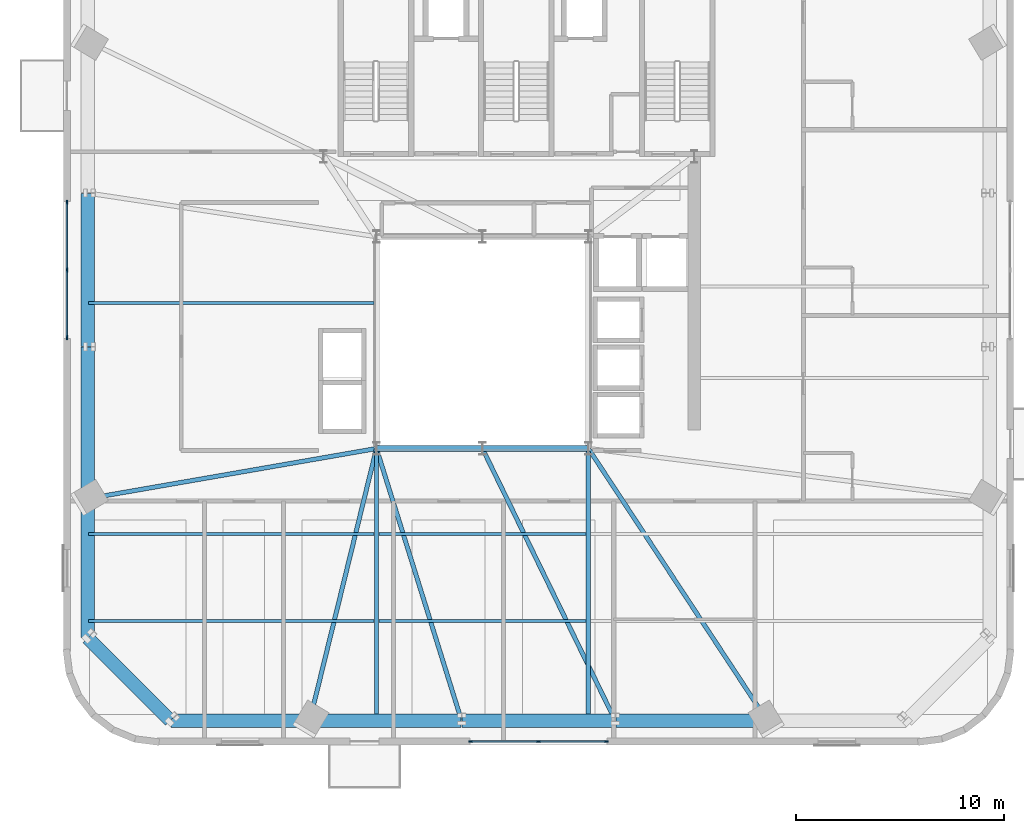
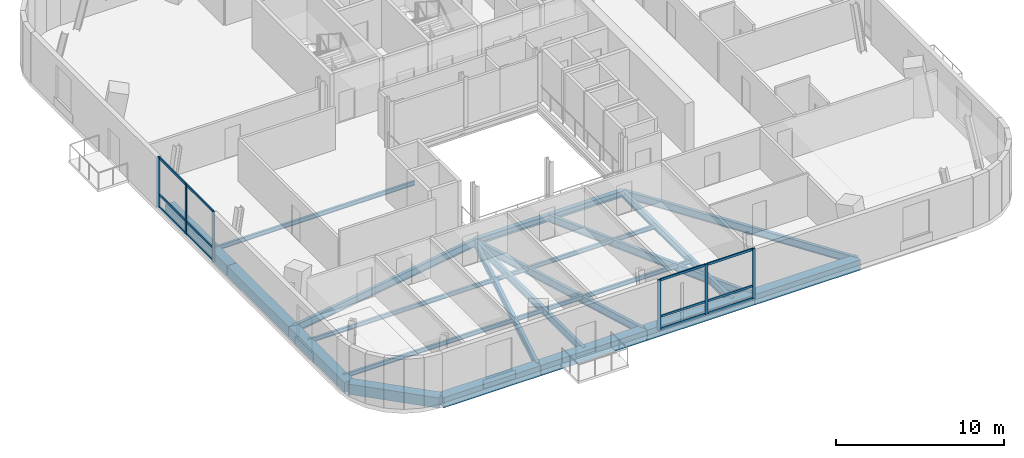
# One storey, part 3 of 15: 22 beams, 18 members, 2 elements without a shape of their own.
"""IFC4 building model written with IfcOpenShell, lengths in metres."""

import ifcopenshell
import ifcopenshell.guid

model = None  # the IFC model being written
_history = None  # IfcOwnerHistory: only IFC2X3 demands one
_inside = {}  # id of a spatial element -> (the spatial element, [elements in it])
_under = {}  # id of a project, library or spatial element -> (it, [spatial elements below it])
_declared = {}  # id of a project -> (the project, [libraries it declares])
_typed = {}  # id of a type object -> (the type object, [elements of that type])
_made_of = {}  # id of a material, layer set ... -> (it, [elements and type objects made of it])


def new_model(schema):
    """Start an empty IFC model of exactly this schema.

    Asked for "IFC4X3", IfcOpenShell would pick the latest addendum, in which some entities
    have other attributes; the version numbers below select the first issue.
    IFC2X3 requires an IfcOwnerHistory on every rooted entity: one is made here for all.
    """
    global model, _history
    if schema == "IFC4X3":
        model = ifcopenshell.file(schema_version=(4, 3, 0, 0))
    else:
        model = ifcopenshell.file(schema=schema)
    _inside.clear()
    _under.clear()
    _declared.clear()
    _typed.clear()
    _made_of.clear()
    _history = None
    if model.schema == "IFC2X3":
        org = make("IfcOrganization", Name="unknown")
        user = make(
            "IfcPersonAndOrganization",
            ThePerson=make("IfcPerson", FamilyName="unknown"),
            TheOrganization=org,
        )
        app = make(
            "IfcApplication",
            ApplicationDeveloper=org,
            Version="unknown",
            ApplicationFullName="unknown",
            ApplicationIdentifier="unknown",
        )
        _history = make(
            "IfcOwnerHistory",
            OwningUser=user,
            OwningApplication=app,
            ChangeAction="ADDED",
            CreationDate=0,
        )
    return model


def make(cls, **values):
    """One entity of the class cls with the attributes given. An attribute that is None is left unset."""
    return model.create_entity(
        cls, **{name: value for name, value in values.items() if value is not None}
    )


def rooted(cls, **values):
    """An entity with a GlobalId (a new one), such as an element, a storey or a relation."""
    return make(cls, GlobalId=ifcopenshell.guid.new(), OwnerHistory=_history, **values)


def si_unit(unit_type, name, prefix=None):
    """IfcSIUnit, for example si_unit("LENGTHUNIT", "METRE", prefix="MILLI")."""
    return make("IfcSIUnit", UnitType=unit_type, Prefix=prefix, Name=name)


def assignment(units):
    """IfcUnitAssignment: the units of a project."""
    return None if units is None else make("IfcUnitAssignment", Units=units)


def point(xyz):
    """IfcCartesianPoint."""
    return None if xyz is None else make("IfcCartesianPoint", Coordinates=xyz)


def direction(xyz):
    """IfcDirection."""
    return None if xyz is None else make("IfcDirection", DirectionRatios=xyz)


def frame(location, z_axis=None, x_axis=None):
    """IfcAxis2Placement3D, a coordinate frame: its origin and axes. An axis left out is left unset."""
    return make(
        "IfcAxis2Placement3D",
        Location=point(location),
        Axis=direction(z_axis),
        RefDirection=direction(x_axis),
    )


def frame_2d(location, x_axis=None):
    """IfcAxis2Placement2D, a coordinate frame in the plane: its origin and x axis."""
    return make(
        "IfcAxis2Placement2D", Location=point(location), RefDirection=direction(x_axis)
    )


def origin():
    """The frame at (0, 0, 0) with its axes left unset."""
    return frame((0.0, 0.0, 0.0))


def origin_2d():
    """The frame at (0, 0) in the plane with its x axis left unset."""
    return frame_2d((0.0, 0.0))


def place(relative_to, where):
    """IfcLocalPlacement: puts the frame where relative to a parent placement (None: the world)."""
    return make(
        "IfcLocalPlacement", PlacementRelTo=relative_to, RelativePlacement=where
    )


def context(
    kind, dimensions, precision=None, world=None, true_north=None, identifier=None
):
    """IfcGeometricRepresentationContext, for example the 3D "Model" context."""
    return make(
        "IfcGeometricRepresentationContext",
        ContextIdentifier=identifier,
        ContextType=kind,
        CoordinateSpaceDimension=dimensions,
        Precision=precision,
        WorldCoordinateSystem=world,
        TrueNorth=true_north,
    )


def subcontext(parent, identifier, kind, view, scale=None):
    """IfcGeometricRepresentationSubContext, for example "Body" below "Model"."""
    return make(
        "IfcGeometricRepresentationSubContext",
        ContextIdentifier=identifier,
        ContextType=kind,
        ParentContext=parent,
        TargetScale=scale,
        TargetView=view,
    )


def project(units=None, contexts=None):
    """IfcProject with its units and contexts."""
    return rooted(
        "IfcProject",
        Name="project",
        RepresentationContexts=contexts,
        UnitsInContext=assignment(units),
    )


def spatial(cls, under=None, at=None, **own):
    """A site, building, storey or space (cls), placed at a placement, below another one or the project."""
    s = rooted(cls, ObjectPlacement=at, **own)
    if under is not None:
        _under.setdefault(under.id(), (under, []))[1].append(s)
    return s


def profile(cls, at=None, kind="AREA", **sizes):
    """A parametric profile (cls). Its sizes go by their IFC names, for example OverallWidth=200.0."""
    return make(cls, ProfileType=kind, Position=at, **sizes)


def rectangle(**sizes):
    """IfcRectangleProfileDef."""
    return profile("IfcRectangleProfileDef", **sizes)


def i_section(**sizes):
    """IfcIShapeProfileDef."""
    return profile("IfcIShapeProfileDef", **sizes)


def extrude(swept, where, along, depth):
    """IfcExtrudedAreaSolid: the profile swept, set in the frame where, extruded along a direction by depth."""
    return make(
        "IfcExtrudedAreaSolid",
        SweptArea=swept,
        Position=where,
        ExtrudedDirection=direction(along),
        Depth=depth,
    )


def shape(context_of_items, identifier, shape_type, items):
    """IfcShapeRepresentation: the items that make up one representation, for example the "Body"."""
    return make(
        "IfcShapeRepresentation",
        ContextOfItems=context_of_items,
        RepresentationIdentifier=identifier,
        RepresentationType=shape_type,
        Items=items,
    )


def source(mapping_origin, context_of_items, identifier, shape_type, items):
    """IfcRepresentationMap: a shape defined once, which mapped items show again and again."""
    return make(
        "IfcRepresentationMap",
        MappingOrigin=mapping_origin,
        MappedRepresentation=shape(context_of_items, identifier, shape_type, items),
    )


def transform(
    local_origin,
    x_axis=None,
    y_axis=None,
    z_axis=None,
    scale=None,
    scale2=None,
    scale3=None,
    uniform=True,
):
    """IfcCartesianTransformationOperator3D, or its non-uniform kind. x_axis, y_axis, z_axis: its Axis1, 2, 3."""
    if uniform:
        return make(
            "IfcCartesianTransformationOperator3D",
            Axis1=direction(x_axis),
            Axis2=direction(y_axis),
            LocalOrigin=point(local_origin),
            Scale=scale,
            Axis3=direction(z_axis),
        )
    return make(
        "IfcCartesianTransformationOperator3DnonUniform",
        Axis1=direction(x_axis),
        Axis2=direction(y_axis),
        LocalOrigin=point(local_origin),
        Scale=scale,
        Axis3=direction(z_axis),
        Scale2=scale2,
        Scale3=scale3,
    )


def mapped(mapping_source, mapping_target):
    """IfcMappedItem: shows the shape of a source again, moved by a transform."""
    return make(
        "IfcMappedItem", MappingSource=mapping_source, MappingTarget=mapping_target
    )


def material(Name=None, Category=None):
    """IfcMaterial."""
    return make("IfcMaterial", Name=Name, Category=Category)


def material_profile(
    of_material, cross_section, Name=None, Category=None, Priority=None
):
    """IfcMaterialProfile: a cross section and its material."""
    return make(
        "IfcMaterialProfile",
        Name=Name,
        Material=of_material,
        Profile=cross_section,
        Priority=Priority,
        Category=Category,
    )


def profile_set(profiles, Name=None, composite=None):
    """IfcMaterialProfileSet."""
    return make(
        "IfcMaterialProfileSet",
        Name=Name,
        MaterialProfiles=profiles,
        CompositeProfile=composite,
    )


def made_of(thing, what):
    """Note that an element or type object is made of a material, layer set ...; save() writes the relation."""
    if what is not None:
        _made_of.setdefault(what.id(), (what, []))[1].append(thing)
    return thing


def type_object(cls, material=None, **own):
    """A type object (cls), such as IfcWallType, which elements share."""
    return made_of(rooted(cls, **own), material)


def element(
    cls,
    number,
    at=None,
    inside=None,
    cuts=None,
    type_object=None,
    material=None,
    context=None,
    identifier="Body",
    shape_type=None,
    held_by="IfcProductDefinitionShape",
    body=None,
    shapes=None,
    **own,
):
    """One element of the class cls, such as IfcWall. Its Tag is "e" and its number.

    at: its placement. inside: the storey or other place that contains it. cuts: it is an
    opening in that element (IfcRelVoidsElement). A single representation is given by context,
    identifier, shape_type and body (its items); several are given by shapes. held_by: the class
    of the entity that holds the representations. save() writes the other relations.
    """
    e = rooted(cls, Tag="e%d" % number, ObjectPlacement=at, **own)
    if body is not None:
        shapes = [shape(context, identifier, shape_type, body)]
    if shapes is not None:
        e.Representation = make(held_by, Representations=shapes)
    if inside is not None:
        _inside.setdefault(inside.id(), (inside, []))[1].append(e)
    if cuts is not None:
        rooted(
            "IfcRelVoidsElement", RelatingBuildingElement=cuts, RelatedOpeningElement=e
        )
    if type_object is not None:
        _typed.setdefault(type_object.id(), (type_object, []))[1].append(e)
    return made_of(e, material)


def aggregate(whole, parts):
    """IfcRelAggregates: a whole, such as a stair, and the parts it consists of."""
    return rooted("IfcRelAggregates", RelatingObject=whole, RelatedObjects=parts)


def save(model, path):
    """Write the relations noted so far, then the file.

    IfcRelAggregates (storeys below a building ...), IfcRelContainedInSpatialStructure (elements
    in a storey), IfcRelDefinesByType, IfcRelAssociatesMaterial and IfcRelDeclares: one each for
    every whole, place, type object, material and project.
    """
    for whole, parts in _under.values():
        aggregate(whole, parts)
    for where, things in _inside.values():
        rooted(
            "IfcRelContainedInSpatialStructure",
            RelatedElements=things,
            RelatingStructure=where,
        )
    for kind, things in _typed.values():
        rooted("IfcRelDefinesByType", RelatedObjects=things, RelatingType=kind)
    for what, things in _made_of.values():
        rooted("IfcRelAssociatesMaterial", RelatedObjects=things, RelatingMaterial=what)
    for by, libraries in _declared.values():
        rooted("IfcRelDeclares", RelatingContext=by, RelatedDefinitions=libraries)
    model.write(path)


model = new_model("IFC4")

# Units and contexts
model_context = context("Model", 3, precision=1e-05, world=origin(), true_north=direction((0.0, 1.0)))
body_context = subcontext(model_context, "Body", "Model", "MODEL_VIEW")
ifc_project = project(units=[si_unit("LENGTHUNIT", "METRE"), si_unit("AREAUNIT", "SQUARE_METRE"), si_unit("VOLUMEUNIT", "CUBIC_METRE"), si_unit("PLANEANGLEUNIT", "RADIAN"), si_unit("MASSUNIT", "GRAM", prefix="KILO")], contexts=[model_context])

# Site, building, storey
site_placement = place(None, origin())
site = spatial("IfcSite", under=ifc_project, at=site_placement, CompositionType="ELEMENT")
building_placement = place(site_placement, origin())
building = spatial("IfcBuilding", under=site, at=building_placement, Name="Vardaveli Station Tower", CompositionType="ELEMENT")
storey_placement = place(building_placement, frame((0.0, 0.0, 258.5)))
storey = spatial("IfcBuildingStorey", under=building, at=storey_placement, Name="L66", CompositionType="ELEMENT", Elevation=258.5)

# Beams
ifc_material_1 = material(Name="Structural steel S355J2", Category="steel")
ifc_material_profile_1 = material_profile(ifc_material_1, i_section(OverallWidth=0.300048828125, OverallDepth=0.449951171875, WebThickness=0.013916015625, FlangeThickness=0.02587890625, FilletRadius=0.027099609375, at=origin_2d()), Name="HEB 450")
ifc_profile_set_1 = profile_set([ifc_material_profile_1], Name="Structural steel S355J2")
beam_type_1 = type_object("IfcBeamType", Name="BM-HEB450", PredefinedType="BEAM", material=ifc_profile_set_1)
shared_shape_1 = source(origin(), body_context, "Body", "SweptSolid", [
    extrude(i_section(OverallWidth=0.300048828125, OverallDepth=0.449951171875, WebThickness=0.013916015625, FlangeThickness=0.02587890625, FilletRadius=0.027099609375, at=origin_2d()), origin(), (0.0, 0.0, 1.0), 5.06005859375),
])
beam_1_placement = place(storey_placement, frame((31.219970703125, 16.60009765625, -0.52490234375), z_axis=(1.0, 0.0, 0.0), x_axis=(0.0, 1.0, 0.0)))
element("IfcBeam", 1, at=beam_1_placement, inside=storey, type_object=beam_type_1, Name="ABM-L66-01", PredefinedType="BEAM", context=body_context, shape_type="MappedRepresentation", body=[
    mapped(shared_shape_1, transform((0.0, 0.0, 0.0), scale=1.0)),
])
shared_shape_2 = source(origin(), body_context, "Body", "SweptSolid", [
    extrude(i_section(OverallWidth=0.300048828125, OverallDepth=0.449951171875, WebThickness=0.013916015625, FlangeThickness=0.02587890625, FilletRadius=0.027099609375, at=origin_2d()), origin(), (0.0, 0.0, 1.0), 5.059814453125),
])
beam_2_placement = place(storey_placement, frame((36.320068359375, 16.60009765625, -0.52490234375), z_axis=(1.0, 0.0, 0.0), x_axis=(0.0, 1.0, 0.0)))
element("IfcBeam", 2, at=beam_2_placement, inside=storey, type_object=beam_type_1, Name="ABM-L66-02", PredefinedType="BEAM", context=body_context, shape_type="MappedRepresentation", body=[
    mapped(shared_shape_2, transform((0.0, 0.0, 0.0), scale=1.0)),
])
ifc_material_2 = material(Name="Precast concrete C45/55", Category="concrete")
ifc_material_profile_2 = material_profile(ifc_material_2, rectangle(XDim=0.64990234375, YDim=0.75, at=origin_2d()), Name="LPB 650x750")
ifc_profile_set_2 = profile_set([ifc_material_profile_2], Name="Precast concrete C45/55")
beam_type_2 = type_object("IfcBeamType", Name="BM-LPB-750", PredefinedType="BEAM", material=ifc_profile_set_2)
shared_shape_3 = source(origin(), body_context, "Body", "SweptSolid", [
    extrude(rectangle(XDim=0.64990234375, YDim=0.75, at=origin_2d()), origin(), (0.0, 0.0, 1.0), 7.35986328125),
])
for number, where, z_axis, x_axis, name in (
    (3, (35.320068359375, 3.489990234375, -0.675048828125), (1.0, 0.0, 0.0), (0.0, 1.0, 0.0), "RBM-L66-02"),
    (4, (17.2900390625, 28.8798828125, -0.675048828125), (0.0, -1.0, 0.0), (1.0, 0.0, 0.0), "RBM-L66-20"),
):
    element("IfcBeam", number, at=place(storey_placement, frame(where, z_axis=z_axis, x_axis=x_axis)), inside=storey, type_object=beam_type_2, Name=name, PredefinedType="BEAM", context=body_context, shape_type="MappedRepresentation", body=[
        mapped(shared_shape_3, transform((0.0, 0.0, 0.0), scale=1.0)),
    ])
shared_shape_4 = source(origin(), body_context, "Body", "SweptSolid", [
    extrude(rectangle(XDim=0.64990234375, YDim=0.75, at=origin_2d()), origin(), (0.0, 0.0, 1.0), 5.61669921875),
])
beam_3_placement = place(storey_placement, frame((17.30419921875, 7.475830078125, -0.675048828125), z_axis=(0.707106781187, -0.707106781187, 0.0), x_axis=(0.707106781187, 0.707106781187, 0.0)))
element("IfcBeam", 5, at=beam_3_placement, inside=storey, type_object=beam_type_2, Name="RBM-L66-23", PredefinedType="BEAM", context=body_context, shape_type="MappedRepresentation", body=[
    mapped(shared_shape_4, transform((0.0, 0.0, 0.0), scale=1.0)),
])
ifc_material_profile_3 = material_profile(ifc_material_1, i_section(OverallWidth=0.14990234375, OverallDepth=0.300048828125, WebThickness=0.007080078125, FlangeThickness=0.0107421875, FilletRadius=0.014892578125, at=origin_2d()), Name="IPE 300")
ifc_profile_set_3 = profile_set([ifc_material_profile_3], Name="Structural steel S355J2")
beam_type_3 = type_object("IfcBeamType", Name="BM-IPE300", PredefinedType="JOIST", material=ifc_profile_set_3)
shared_shape_5 = source(origin(), body_context, "Body", "SweptSolid", [
    extrude(i_section(OverallWidth=0.14990234375, OverallDepth=0.300048828125, WebThickness=0.007080078125, FlangeThickness=0.0107421875, FilletRadius=0.014892578125, at=origin_2d()), origin(), (0.0, 0.0, 1.0), 9.97607421875),
])
for number, where, z_axis, x_axis, name in (
    (6, (31.31201171875, 8.2900390625, -0.449951171875), (1.0, 0.0, 0.0), (0.0, 1.0, 0.0), "SJ-L66-S02"),
    (7, (31.31201171875, 12.489990234375, -0.449951171875), (1.0, 0.0, 0.0), (0.0, 1.0, 0.0), "SJ-L66-S05"),
):
    element("IfcBeam", number, at=place(storey_placement, frame(where, z_axis=z_axis, x_axis=x_axis)), inside=storey, type_object=beam_type_3, Name=name, PredefinedType="JOIST", context=body_context, shape_type="MappedRepresentation", body=[
        mapped(shared_shape_5, transform((0.0, 0.0, 0.0), scale=1.0)),
    ])
shared_shape_6 = source(origin(), body_context, "Body", "SweptSolid", [
    extrude(rectangle(XDim=0.64990234375, YDim=0.75, at=origin_2d()), origin(), (0.0, 0.0, 1.0), 7.276123046875),
])
for number, where, z_axis, x_axis, name in (
    (8, (28.00390625, 3.489990234375, -0.675048828125), (1.0, 0.0, 0.0), (0.0, 1.0, 0.0), "RBM-L66-01"),
    (9, (42.719970703125, 3.489990234375, -0.675048828125), (1.0, 0.0, 0.0), (0.0, 1.0, 0.0), "RBM-L66-03"),
):
    element("IfcBeam", number, at=place(storey_placement, frame(where, z_axis=z_axis, x_axis=x_axis)), inside=storey, type_object=beam_type_2, Name=name, PredefinedType="BEAM", context=body_context, shape_type="MappedRepresentation", body=[
        mapped(shared_shape_6, transform((0.0, 0.0, 0.0), scale=1.0)),
    ])
shared_shape_7 = source(origin(), body_context, "Body", "SweptSolid", [
    extrude(rectangle(XDim=0.64990234375, YDim=0.75, at=origin_2d()), origin(), (0.0, 0.0, 1.0), 6.654052734375),
])
for number, where, z_axis, x_axis, name in (
    (10, (17.2900390625, 14.1640625, -0.675048828125), (0.0, -1.0, 0.0), (1.0, 0.0, 0.0), "RBM-L66-22"),
    (11, (21.31005859375, 3.489990234375, -0.675048828125), (1.0, 0.0, 0.0), (0.0, 1.0, 0.0), "RBM-L66-24"),
):
    element("IfcBeam", number, at=place(storey_placement, frame(where, z_axis=z_axis, x_axis=x_axis)), inside=storey, type_object=beam_type_2, Name=name, PredefinedType="BEAM", context=body_context, shape_type="MappedRepresentation", body=[
        mapped(shared_shape_7, transform((0.0, 0.0, 0.0), scale=1.0)),
    ])
shared_shape_8 = source(origin(), body_context, "Body", "SweptSolid", [
    extrude(rectangle(XDim=0.64990234375, YDim=0.75, at=origin_2d()), origin(), (0.0, 0.0, 1.0), 7.27587890625),
])
beam_4_placement = place(storey_placement, frame((17.2900390625, 21.47998046875, -0.675048828125), z_axis=(0.0, -1.0, 0.0), x_axis=(1.0, 0.0, 0.0)))
element("IfcBeam", 12, at=beam_4_placement, inside=storey, type_object=beam_type_2, Name="RBM-L66-21", PredefinedType="BEAM", context=body_context, shape_type="MappedRepresentation", body=[
    mapped(shared_shape_8, transform((0.0, 0.0, 0.0), scale=1.0)),
])
ifc_material_profile_4 = material_profile(ifc_material_1, i_section(OverallWidth=0.2099609375, OverallDepth=0.550048828125, WebThickness=0.010986328125, FlangeThickness=0.01708984375, FilletRadius=0.02392578125, at=origin_2d()), Name="IPE 550")
ifc_profile_set_4 = profile_set([ifc_material_profile_4], Name="Structural steel S355J2")
beam_type_4 = type_object("IfcBeamType", Name="BM-IPE550", PredefinedType="BEAM", material=ifc_profile_set_4)
shared_shape_9 = source(origin(), body_context, "Body", "SweptSolid", [
    extrude(i_section(OverallWidth=0.2099609375, OverallDepth=0.550048828125, WebThickness=0.010986328125, FlangeThickness=0.01708984375, FilletRadius=0.02392578125, at=origin_2d()), origin(), (0.0, 0.0, 1.0), 13.45849609375),
])
beam_5_placement = place(storey_placement, frame((27.98876953125, 3.509521484375, -0.574951171875), z_axis=(0.238252197743, 0.971203320768, 0.0), x_axis=(-0.971203320768, 0.238252197743, 0.0)))
element("IfcBeam", 13, at=beam_5_placement, inside=storey, type_object=beam_type_4, Name="GBM-L66-01", PredefinedType="BEAM", context=body_context, shape_type="MappedRepresentation", body=[
    mapped(shared_shape_9, transform((0.0, 0.0, 0.0), scale=1.0)),
])
shared_shape_10 = source(origin(), body_context, "Body", "SweptSolid", [
    extrude(i_section(OverallWidth=0.2099609375, OverallDepth=0.550048828125, WebThickness=0.010986328125, FlangeThickness=0.01708984375, FilletRadius=0.02392578125, at=origin_2d()), origin(), (0.0, 0.0, 1.0), 13.696044921875),
])
beam_6_placement = place(storey_placement, frame((35.2939453125, 3.509033203125, -0.574951171875), z_axis=(-0.298471893092, 0.954418424505, 0.0), x_axis=(-0.954418424505, -0.298471893092, 0.0)))
element("IfcBeam", 14, at=beam_6_placement, inside=storey, type_object=beam_type_4, Name="GBM-L66-02", PredefinedType="BEAM", context=body_context, shape_type="MappedRepresentation", body=[
    mapped(shared_shape_10, transform((0.0, 0.0, 0.0), scale=1.0)),
])
shared_shape_11 = source(origin(), body_context, "Body", "SweptSolid", [
    extrude(i_section(OverallWidth=0.2099609375, OverallDepth=0.550048828125, WebThickness=0.010986328125, FlangeThickness=0.01708984375, FilletRadius=0.02392578125, at=origin_2d()), origin(), (0.0, 0.0, 1.0), 14.548583984375),
])
beam_7_placement = place(storey_placement, frame((42.691162109375, 3.508056640625, -0.574951171875), z_axis=(-0.438688770403, 0.898639061427, 0.0), x_axis=(-0.898639061427, -0.438688770403, 0.0)))
element("IfcBeam", 15, at=beam_7_placement, inside=storey, type_object=beam_type_4, Name="GBM-L66-03", PredefinedType="BEAM", context=body_context, shape_type="MappedRepresentation", body=[
    mapped(shared_shape_11, transform((0.0, 0.0, 0.0), scale=1.0)),
])
shared_shape_12 = source(origin(), body_context, "Body", "SweptSolid", [
    extrude(i_section(OverallWidth=0.2099609375, OverallDepth=0.550048828125, WebThickness=0.010986328125, FlangeThickness=0.01708984375, FilletRadius=0.02392578125, at=origin_2d()), origin(), (0.0, 0.0, 1.0), 15.647705078125),
])
beam_8_placement = place(storey_placement, frame((50.005126953125, 3.5068359375, -0.574951171875), z_axis=(-0.549229878223, 0.835671311502, 0.0), x_axis=(-0.835671311502, -0.549229878223, 0.0)))
element("IfcBeam", 16, at=beam_8_placement, inside=storey, type_object=beam_type_4, Name="GBM-L66-04", PredefinedType="BEAM", context=body_context, shape_type="MappedRepresentation", body=[
    mapped(shared_shape_12, transform((0.0, 0.0, 0.0), scale=1.0)),
])
shared_shape_13 = source(origin(), body_context, "Body", "SweptSolid", [
    extrude(i_section(OverallWidth=0.2099609375, OverallDepth=0.550048828125, WebThickness=0.010986328125, FlangeThickness=0.01708984375, FilletRadius=0.02392578125, at=origin_2d()), origin(), (0.0, 0.0, 1.0), 14.078125),
])
beam_9_placement = place(storey_placement, frame((17.309814453125, 14.1875, -0.574951171875), z_axis=(0.985248389025, 0.171130394503, 0.0), x_axis=(-0.171130394503, 0.985248389025, 0.0)))
element("IfcBeam", 17, at=beam_9_placement, inside=storey, type_object=beam_type_4, Name="GBM-L66-10", PredefinedType="BEAM", context=body_context, shape_type="MappedRepresentation", body=[
    mapped(shared_shape_13, transform((0.0, 0.0, 0.0), scale=1.0)),
])
shared_shape_14 = source(origin(), body_context, "Body", "SweptSolid", [
    extrude(i_section(OverallWidth=0.2099609375, OverallDepth=0.550048828125, WebThickness=0.010986328125, FlangeThickness=0.01708984375, FilletRadius=0.02392578125, at=origin_2d()), origin(), (0.0, 0.0, 1.0), 12.929931640625),
])
for number, where, z_axis, x_axis, name in (
    (18, (31.199951171875, 3.530029296875, -0.574951171875), (0.0, 1.0, 0.0), (-1.0, 0.0, 0.0), "NSM-L66-S1"),
    (19, (41.39990234375, 3.530029296875, -0.574951171875), (0.0, 1.0, 0.0), (-1.0, 0.0, 0.0), "NSM-L66-S2"),
):
    element("IfcBeam", number, at=place(storey_placement, frame(where, z_axis=z_axis, x_axis=x_axis)), inside=storey, type_object=beam_type_4, Name=name, PredefinedType="BEAM", context=body_context, shape_type="MappedRepresentation", body=[
        mapped(shared_shape_14, transform((0.0, 0.0, 0.0), scale=1.0)),
    ])
shared_shape_15 = source(origin(), body_context, "Body", "SweptSolid", [
    extrude(i_section(OverallWidth=0.14990234375, OverallDepth=0.300048828125, WebThickness=0.007080078125, FlangeThickness=0.0107421875, FilletRadius=0.014892578125, at=origin_2d()), origin(), (0.0, 0.0, 1.0), 13.7578125),
])
for number, where, z_axis, x_axis, name in (
    (20, (17.330078125, 8.2900390625, -0.449951171875), (1.0, 0.0, 0.0), (0.0, 1.0, 0.0), "SJ-L66-S01"),
    (21, (17.330078125, 12.489990234375, -0.449951171875), (1.0, 0.0, 0.0), (0.0, 1.0, 0.0), "SJ-L66-S04"),
    (22, (17.330078125, 23.60009765625, -0.449951171875), (1.0, 0.0, 0.0), (0.0, 1.0, 0.0), "SJ-L66-W08"),
):
    element("IfcBeam", number, at=place(storey_placement, frame(where, z_axis=z_axis, x_axis=x_axis)), inside=storey, type_object=beam_type_3, Name=name, PredefinedType="JOIST", context=body_context, shape_type="MappedRepresentation", body=[
        mapped(shared_shape_15, transform((0.0, 0.0, 0.0), scale=1.0)),
    ])

# Curtain wall, members
ifc_material_3 = material(Name="Travertine stone and solar-control glass", Category="masonry")
curtain_wall_type = type_object("IfcCurtainWallType", Name="CW-SYS-5", PredefinedType="NOTDEFINED", material=ifc_material_3)
curtain_wall_1_placement = place(storey_placement, origin())
curtain_wall_1 = element("IfcCurtainWall", 23, at=curtain_wall_1_placement, inside=storey, type_object=curtain_wall_type, Name="CW-L66-S", PredefinedType="NOTDEFINED")
ifc_material_4 = material(Name="Anodised aluminium alloy 6063-T6", Category="aluminium")
ifc_material_profile_5 = material_profile(ifc_material_4, rectangle(XDim=0.080078125, YDim=0.1650390625, at=origin_2d()), Name="CWT 80x165")
ifc_profile_set_5 = profile_set([ifc_material_profile_5], Name="Anodised aluminium alloy 6063-T6")
member_type_1 = type_object("IfcMemberType", Name="CW-SYS-5-TRAN", PredefinedType="NOTDEFINED", material=ifc_profile_set_5)
shared_shape_16 = source(origin(), body_context, "Body", "SweptSolid", [
    extrude(rectangle(XDim=0.080078125, YDim=0.1650390625, at=origin_2d()), origin(), (0.0, 0.0, 1.0), 3.179931640625),
])
member_1_placement = place(storey_placement, frame((35.780029296875, 2.5, 0.0400390625), z_axis=(1.0, 0.0, 0.0), x_axis=(0.0, 1.0, 0.0)))
member_1 = element("IfcMember", 24, at=member_1_placement, type_object=member_type_1, Name="CW-5 transom 1.1", ObjectType="TRANSOM", PredefinedType="USERDEFINED", context=body_context, shape_type="MappedRepresentation", body=[
    mapped(shared_shape_16, transform((0.0, 0.0, 0.0), scale=1.0)),
])
member_2_placement = place(storey_placement, frame((35.780029296875, 2.5, 0.949951171875), z_axis=(1.0, 0.0, 0.0), x_axis=(0.0, 1.0, 0.0)))
member_2 = element("IfcMember", 25, at=member_2_placement, type_object=member_type_1, Name="CW-5 transom 1.2", ObjectType="TRANSOM", PredefinedType="USERDEFINED", context=body_context, shape_type="MappedRepresentation", body=[
    mapped(shared_shape_16, transform((0.0, 0.0, 0.0), scale=1.0)),
])
member_3_placement = place(storey_placement, frame((35.780029296875, 2.5, 3.610107421875), z_axis=(1.0, 0.0, 0.0), x_axis=(0.0, 1.0, 0.0)))
member_3 = element("IfcMember", 26, at=member_3_placement, type_object=member_type_1, Name="CW-5 transom 1.3", ObjectType="TRANSOM", PredefinedType="USERDEFINED", context=body_context, shape_type="MappedRepresentation", body=[
    mapped(shared_shape_16, transform((0.0, 0.0, 0.0), scale=1.0)),
])
member_4_placement = place(storey_placement, frame((39.0400390625, 2.5, 0.0400390625), z_axis=(1.0, 0.0, 0.0), x_axis=(0.0, 1.0, 0.0)))
member_4 = element("IfcMember", 27, at=member_4_placement, type_object=member_type_1, Name="CW-5 transom 2.1", ObjectType="TRANSOM", PredefinedType="USERDEFINED", context=body_context, shape_type="MappedRepresentation", body=[
    mapped(shared_shape_16, transform((0.0, 0.0, 0.0), scale=1.0)),
])
member_5_placement = place(storey_placement, frame((39.0400390625, 2.5, 0.949951171875), z_axis=(1.0, 0.0, 0.0), x_axis=(0.0, 1.0, 0.0)))
member_5 = element("IfcMember", 28, at=member_5_placement, type_object=member_type_1, Name="CW-5 transom 2.2", ObjectType="TRANSOM", PredefinedType="USERDEFINED", context=body_context, shape_type="MappedRepresentation", body=[
    mapped(shared_shape_16, transform((0.0, 0.0, 0.0), scale=1.0)),
])
member_6_placement = place(storey_placement, frame((39.0400390625, 2.5, 3.610107421875), z_axis=(1.0, 0.0, 0.0), x_axis=(0.0, 1.0, 0.0)))
member_6 = element("IfcMember", 29, at=member_6_placement, type_object=member_type_1, Name="CW-5 transom 2.3", ObjectType="TRANSOM", PredefinedType="USERDEFINED", context=body_context, shape_type="MappedRepresentation", body=[
    mapped(shared_shape_16, transform((0.0, 0.0, 0.0), scale=1.0)),
])

curtain_wall_2_placement = place(storey_placement, origin())
curtain_wall_2 = element("IfcCurtainWall", 30, at=curtain_wall_2_placement, inside=storey, type_object=curtain_wall_type, Name="CW-L66-W", PredefinedType="NOTDEFINED")
member_7_placement = place(storey_placement, frame((16.300048828125, 28.419921875, 0.0400390625), z_axis=(0.0, -1.0, 0.0), x_axis=(1.0, 0.0, 0.0)))
member_7 = element("IfcMember", 31, at=member_7_placement, type_object=member_type_1, Name="CW-5 transom 1.1", ObjectType="TRANSOM", PredefinedType="USERDEFINED", context=body_context, shape_type="MappedRepresentation", body=[
    mapped(shared_shape_16, transform((0.0, 0.0, 0.0), scale=1.0)),
])
member_8_placement = place(storey_placement, frame((16.300048828125, 28.419921875, 0.949951171875), z_axis=(0.0, -1.0, 0.0), x_axis=(1.0, 0.0, 0.0)))
member_8 = element("IfcMember", 32, at=member_8_placement, type_object=member_type_1, Name="CW-5 transom 1.2", ObjectType="TRANSOM", PredefinedType="USERDEFINED", context=body_context, shape_type="MappedRepresentation", body=[
    mapped(shared_shape_16, transform((0.0, 0.0, 0.0), scale=1.0)),
])
member_9_placement = place(storey_placement, frame((16.300048828125, 28.419921875, 3.610107421875), z_axis=(0.0, -1.0, 0.0), x_axis=(1.0, 0.0, 0.0)))
member_9 = element("IfcMember", 33, at=member_9_placement, type_object=member_type_1, Name="CW-5 transom 1.3", ObjectType="TRANSOM", PredefinedType="USERDEFINED", context=body_context, shape_type="MappedRepresentation", body=[
    mapped(shared_shape_16, transform((0.0, 0.0, 0.0), scale=1.0)),
])
member_10_placement = place(storey_placement, frame((16.300048828125, 25.159912109375, 0.0400390625), z_axis=(0.0, -1.0, 0.0), x_axis=(1.0, 0.0, 0.0)))
member_10 = element("IfcMember", 34, at=member_10_placement, type_object=member_type_1, Name="CW-5 transom 2.1", ObjectType="TRANSOM", PredefinedType="USERDEFINED", context=body_context, shape_type="MappedRepresentation", body=[
    mapped(shared_shape_16, transform((0.0, 0.0, 0.0), scale=1.0)),
])
member_11_placement = place(storey_placement, frame((16.300048828125, 25.159912109375, 0.949951171875), z_axis=(0.0, -1.0, 0.0), x_axis=(1.0, 0.0, 0.0)))
member_11 = element("IfcMember", 35, at=member_11_placement, type_object=member_type_1, Name="CW-5 transom 2.2", ObjectType="TRANSOM", PredefinedType="USERDEFINED", context=body_context, shape_type="MappedRepresentation", body=[
    mapped(shared_shape_16, transform((0.0, 0.0, 0.0), scale=1.0)),
])
member_12_placement = place(storey_placement, frame((16.300048828125, 25.159912109375, 3.610107421875), z_axis=(0.0, -1.0, 0.0), x_axis=(1.0, 0.0, 0.0)))
member_12 = element("IfcMember", 36, at=member_12_placement, type_object=member_type_1, Name="CW-5 transom 2.3", ObjectType="TRANSOM", PredefinedType="USERDEFINED", context=body_context, shape_type="MappedRepresentation", body=[
    mapped(shared_shape_16, transform((0.0, 0.0, 0.0), scale=1.0)),
])

# Member
ifc_material_profile_6 = material_profile(ifc_material_4, rectangle(XDim=0.080078125, YDim=0.205078125, at=origin_2d()), Name="CWM 80x205")
ifc_profile_set_6 = profile_set([ifc_material_profile_6], Name="Anodised aluminium alloy 6063-T6")
member_type_2 = type_object("IfcMemberType", Name="CW-SYS-5-MULL", PredefinedType="MULLION", material=ifc_profile_set_6)
shared_shape_17 = source(origin(), body_context, "Body", "SweptSolid", [
    extrude(rectangle(XDim=0.080078125, YDim=0.205078125, at=origin_2d()), origin(), (0.0, 0.0, 1.0), 3.64990234375),
])
member_13_placement = place(storey_placement, frame((35.739990234375, 2.5, 0.0), z_axis=(0.0, 0.0, 1.0), x_axis=(0.0, 1.0, 0.0)))
member_13 = element("IfcMember", 37, at=member_13_placement, type_object=member_type_2, Name="CW-5 mullion 1", PredefinedType="MULLION", context=body_context, shape_type="MappedRepresentation", body=[
    mapped(shared_shape_17, transform((0.0, 0.0, 0.0), scale=1.0)),
])

member_14_placement = place(storey_placement, frame((39.0, 2.5, 0.0), z_axis=(0.0, 0.0, 1.0), x_axis=(0.0, 1.0, 0.0)))
member_14 = element("IfcMember", 38, at=member_14_placement, type_object=member_type_2, Name="CW-5 mullion 2", PredefinedType="MULLION", context=body_context, shape_type="MappedRepresentation", body=[
    mapped(shared_shape_17, transform((0.0, 0.0, 0.0), scale=1.0)),
])

member_15_placement = place(storey_placement, frame((42.260009765625, 2.5, 0.0), z_axis=(0.0, 0.0, 1.0), x_axis=(0.0, 1.0, 0.0)))
member_15 = element("IfcMember", 39, at=member_15_placement, type_object=member_type_2, Name="CW-5 mullion 3", PredefinedType="MULLION", context=body_context, shape_type="MappedRepresentation", body=[
    mapped(shared_shape_17, transform((0.0, 0.0, 0.0), scale=1.0)),
])

aggregate(curtain_wall_1, [member_13, member_14, member_15, member_1, member_2, member_3, member_4, member_5, member_6])

member_16_placement = place(storey_placement, frame((16.300048828125, 28.4599609375, 0.0), z_axis=(0.0, 0.0, 1.0), x_axis=(1.0, 0.0, 0.0)))
member_16 = element("IfcMember", 40, at=member_16_placement, type_object=member_type_2, Name="CW-5 mullion 1", PredefinedType="MULLION", context=body_context, shape_type="MappedRepresentation", body=[
    mapped(shared_shape_17, transform((0.0, 0.0, 0.0), scale=1.0)),
])

member_17_placement = place(storey_placement, frame((16.300048828125, 25.199951171875, 0.0), z_axis=(0.0, 0.0, 1.0), x_axis=(1.0, 0.0, 0.0)))
member_17 = element("IfcMember", 41, at=member_17_placement, type_object=member_type_2, Name="CW-5 mullion 2", PredefinedType="MULLION", context=body_context, shape_type="MappedRepresentation", body=[
    mapped(shared_shape_17, transform((0.0, 0.0, 0.0), scale=1.0)),
])

member_18_placement = place(storey_placement, frame((16.300048828125, 21.93994140625, 0.0), z_axis=(0.0, 0.0, 1.0), x_axis=(1.0, 0.0, 0.0)))
member_18 = element("IfcMember", 42, at=member_18_placement, type_object=member_type_2, Name="CW-5 mullion 3", PredefinedType="MULLION", context=body_context, shape_type="MappedRepresentation", body=[
    mapped(shared_shape_17, transform((0.0, 0.0, 0.0), scale=1.0)),
])

aggregate(curtain_wall_2, [member_16, member_17, member_18, member_7, member_8, member_9, member_10, member_11, member_12])

save(model, "model.ifc")
